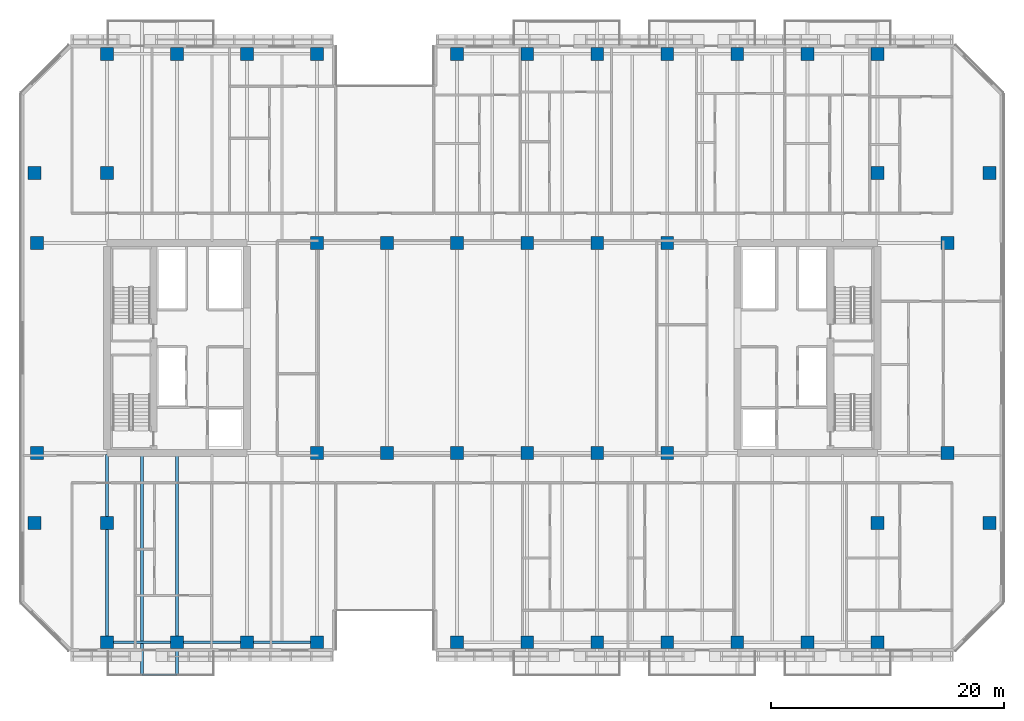
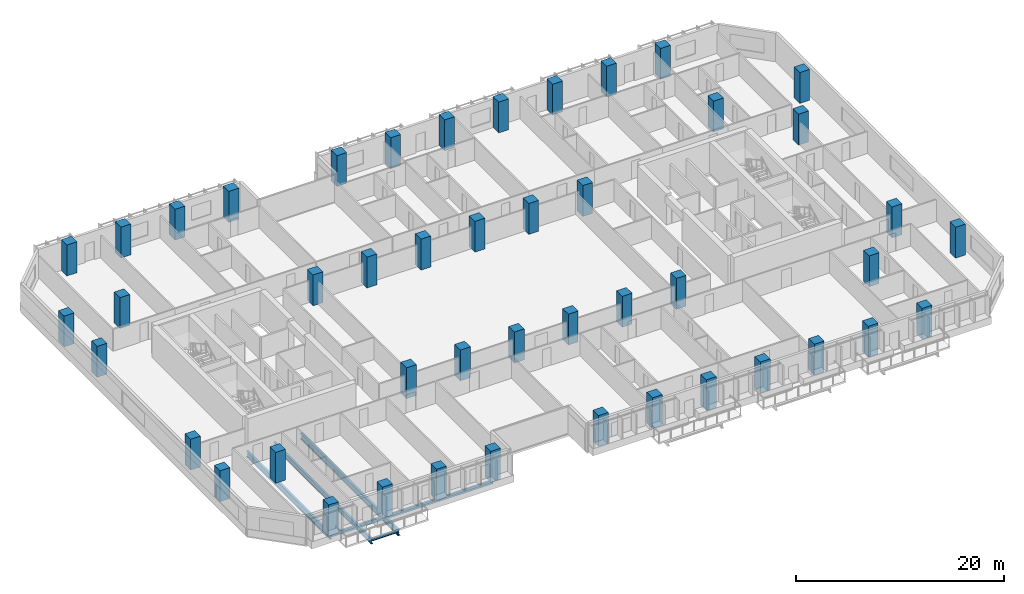
# One storey, part 1 of 25: 46 columns, 7 beams.
"""IFC4 building model written with IfcOpenShell, lengths in metres."""

from ifc_helpers import new_model, si_unit, direction, frame, origin, origin_2d, place, context, subcontext, project, spatial, rectangle, hollow_rectangle, i_section, extrude, material, material_profile, profile_set, type_object, element, save


model = new_model("IFC4")

# Units and contexts
model_context = context("Model", 3, precision=1e-05, world=origin(), true_north=direction((0.0, 1.0)))
body_context = subcontext(model_context, "Body", "Model", "MODEL_VIEW")
ifc_project = project(units=[si_unit("LENGTHUNIT", "METRE"), si_unit("AREAUNIT", "SQUARE_METRE"), si_unit("VOLUMEUNIT", "CUBIC_METRE"), si_unit("PLANEANGLEUNIT", "RADIAN"), si_unit("MASSUNIT", "GRAM", prefix="KILO")], contexts=[model_context])

# Site, building, storey
site_placement = place(None, origin())
site = spatial("IfcSite", under=ifc_project, at=site_placement, CompositionType="ELEMENT")
building_placement = place(site_placement, origin())
building = spatial("IfcBuilding", under=site, at=building_placement, Name="Tanjung Sevakor Pilgrim Tower", CompositionType="ELEMENT")
storey_placement = place(building_placement, frame((0.0, 0.0, 69.6298828125)))
storey = spatial("IfcBuildingStorey", under=building, at=storey_placement, Name="L19", CompositionType="ELEMENT", Elevation=69.6298828125)

# Columns
ifc_material_1 = material(Name="Concrete C60/75", Category="concrete")
ifc_material_profile_1 = material_profile(ifc_material_1, rectangle(XDim=1.10009765625, YDim=1.10009765625, at=origin_2d()))
ifc_profile_set_1 = profile_set([ifc_material_profile_1], Name="Concrete C60/75")
column_type = type_object("IfcColumnType", Name="COL-C-T1100-RC_1100x1100", PredefinedType="COLUMN", material=ifc_profile_set_1)
for number, where, z_axis, x_axis, name in (
    (1, (18.0, 24.60009765625, 0.0), (0.0, 0.0, 1.0), (1.0, 0.0, 0.0), "L19 Column SPW-018-246"),
    (2, (18.0, 42.60009765625, 0.0), (0.0, 0.0, 1.0), (1.0, 0.0, 0.0), "L19 Column SPW-018-426"),
    (3, (42.0, 24.60009765625, 0.0), (0.0, 0.0, 1.0), (1.0, 0.0, 0.0), "L19 Column SPW-042-246"),
    (4, (42.0, 42.60009765625, 0.0), (0.0, 0.0, 1.0), (1.0, 0.0, 0.0), "L19 Column SPW-042-426"),
    (5, (48.0, 24.60009765625, 0.0), (0.0, 0.0, 1.0), (1.0, 0.0, 0.0), "L19 Column SPW-048-246"),
    (6, (48.0, 42.60009765625, 0.0), (0.0, 0.0, 1.0), (1.0, 0.0, 0.0), "L19 Column SPW-048-426"),
    (7, (54.0, 24.60009765625, 0.0), (0.0, 0.0, 1.0), (1.0, 0.0, 0.0), "L19 Column SPE-054-246"),
    (8, (54.0, 42.60009765625, 0.0), (0.0, 0.0, 1.0), (1.0, 0.0, 0.0), "L19 Column SPE-054-426"),
    (9, (60.0, 24.60009765625, 0.0), (0.0, 0.0, 1.0), (1.0, 0.0, 0.0), "L19 Column SPE-060-246"),
    (10, (60.0, 42.60009765625, 0.0), (0.0, 0.0, 1.0), (1.0, 0.0, 0.0), "L19 Column SPE-060-426"),
    (11, (66.0, 24.60009765625, 0.0), (0.0, 0.0, 1.0), (1.0, 0.0, 0.0), "L19 Column SPE-066-246"),
    (12, (66.0, 42.60009765625, 0.0), (0.0, 0.0, 1.0), (1.0, 0.0, 0.0), "L19 Column SPE-066-426"),
    (13, (72.0, 24.60009765625, 0.0), (0.0, 0.0, 1.0), (1.0, 0.0, 0.0), "L19 Column SPE-072-246"),
    (14, (72.0, 42.60009765625, 0.0), (0.0, 0.0, 1.0), (1.0, 0.0, 0.0), "L19 Column SPE-072-426"),
    (15, (96.0, 24.60009765625, 0.0), (0.0, 0.0, 1.0), (1.0, 0.0, 0.0), "L19 Column SPE-096-246"),
    (16, (96.0, 42.60009765625, 0.0), (0.0, 0.0, 1.0), (1.0, 0.0, 0.0), "L19 Column SPE-096-426"),
    (17, (17.800048828125, 18.60009765625, 0.0), (0.0, 0.0, 1.0), (1.0, 0.0, 0.0), "L19 Column TCE-0178-186"),
    (18, (17.800048828125, 48.60009765625, 0.0), (0.0, 0.0, 1.0), (1.0, 0.0, 0.0), "L19 Column TCE-0178-486"),
    (19, (24.0, 18.60009765625, 0.0), (0.0, 0.0, 1.0), (1.0, 0.0, 0.0), "L19 Column TCE-0240-186"),
    (20, (24.0, 48.60009765625, 0.0), (0.0, 0.0, 1.0), (1.0, 0.0, 0.0), "L19 Column TCE-0240-486"),
    (21, (90.0, 18.60009765625, 0.0), (0.0, 0.0, 1.0), (1.0, 0.0, 0.0), "L19 Column TCE-0900-186"),
    (22, (90.0, 48.60009765625, 0.0), (0.0, 0.0, 1.0), (1.0, 0.0, 0.0), "L19 Column TCE-0900-486"),
    (23, (99.60009765625, 18.60009765625, 0.0), (0.0, 0.0, 1.0), (1.0, 0.0, 0.0), "L19 Column TCE-0996-186"),
    (24, (99.60009765625, 48.60009765625, 0.0), (0.0, 0.0, 1.0), (1.0, 0.0, 0.0), "L19 Column TCE-0996-486"),
    (25, (24.0, 8.39990234375, 0.0), (0.0, 0.0, 1.0), (1.0, 0.0, 0.0), "L19 Column TC1-024-084"),
    (26, (24.0, 58.800048828125, 0.0), (0.0, 0.0, 1.0), (1.0, 0.0, 0.0), "L19 Column TC1-024-588"),
    (27, (30.0, 8.39990234375, 0.0), (0.0, 0.0, 1.0), (1.0, 0.0, 0.0), "L19 Column TC1-030-084"),
    (28, (30.0, 58.800048828125, 0.0), (0.0, 0.0, 1.0), (1.0, 0.0, 0.0), "L19 Column TC1-030-588"),
    (29, (36.0, 8.39990234375, 0.0), (0.0, 0.0, 1.0), (1.0, 0.0, 0.0), "L19 Column TC1-036-084"),
    (30, (36.0, 58.800048828125, 0.0), (0.0, 0.0, 1.0), (1.0, 0.0, 0.0), "L19 Column TC1-036-588"),
    (31, (42.0, 8.39990234375, 0.0), (0.0, 0.0, 1.0), (1.0, 0.0, 0.0), "L19 Column TC1-042-084"),
    (32, (42.0, 58.800048828125, 0.0), (0.0, 0.0, 1.0), (1.0, 0.0, 0.0), "L19 Column TC1-042-588"),
    (33, (54.0, 8.39990234375, 0.0), (0.0, 0.0, 1.0), (1.0, 0.0, 0.0), "L19 Column TC1-054-084"),
    (34, (54.0, 58.800048828125, 0.0), (0.0, 0.0, 1.0), (1.0, 0.0, 0.0), "L19 Column TC1-054-588"),
    (35, (60.0, 8.39990234375, 0.0), (0.0, 0.0, 1.0), (1.0, 0.0, 0.0), "L19 Column TC1-060-084"),
    (36, (60.0, 58.800048828125, 0.0), (0.0, 0.0, 1.0), (1.0, 0.0, 0.0), "L19 Column TC1-060-588"),
    (37, (66.0, 8.39990234375, 0.0), (0.0, 0.0, 1.0), (1.0, 0.0, 0.0), "L19 Column TC1-066-084"),
    (38, (66.0, 58.800048828125, 0.0), (0.0, 0.0, 1.0), (1.0, 0.0, 0.0), "L19 Column TC1-066-588"),
    (39, (72.0, 8.39990234375, 0.0), (0.0, 0.0, 1.0), (1.0, 0.0, 0.0), "L19 Column TC1-072-084"),
    (40, (72.0, 58.800048828125, 0.0), (0.0, 0.0, 1.0), (1.0, 0.0, 0.0), "L19 Column TC1-072-588"),
    (41, (78.0, 8.39990234375, 0.0), (0.0, 0.0, 1.0), (1.0, 0.0, 0.0), "L19 Column TC1-078-084"),
    (42, (78.0, 58.800048828125, 0.0), (0.0, 0.0, 1.0), (1.0, 0.0, 0.0), "L19 Column TC1-078-588"),
    (43, (84.0, 8.39990234375, 0.0), (0.0, 0.0, 1.0), (1.0, 0.0, 0.0), "L19 Column TC1-084-084"),
    (44, (84.0, 58.800048828125, 0.0), (0.0, 0.0, 1.0), (1.0, 0.0, 0.0), "L19 Column TC1-084-588"),
    (45, (90.0, 8.39990234375, 0.0), (0.0, 0.0, 1.0), (1.0, 0.0, 0.0), "L19 Column TC1-090-084"),
    (46, (90.0, 58.800048828125, 0.0), (0.0, 0.0, 1.0), (1.0, 0.0, 0.0), "L19 Column TC1-090-588"),
):
    element("IfcColumn", number, at=place(storey_placement, frame(where, z_axis=z_axis, x_axis=x_axis)), inside=storey, type_object=column_type, Name=name, PredefinedType="COLUMN", context=body_context, shape_type="SweptSolid", body=[
        extrude(rectangle(XDim=1.10009765625, YDim=1.10009765625, at=origin_2d()), origin(), (0.0, 0.0, 1.0), 3.630126953125),
    ])

# Beams
ifc_material_2 = material(Name="Steel S355J2", Category="steel")
ifc_material_profile_2 = material_profile(ifc_material_2, i_section(OverallWidth=0.25439453125, OverallDepth=0.6875, WebThickness=0.01318359375, FlangeThickness=0.02099609375, FilletRadius=0.01513671875, at=origin_2d()))
ifc_profile_set_2 = profile_set([ifc_material_profile_2], Name="Steel S355J2")
beam_type_1 = type_object("IfcBeamType", Name="BM-B-G2-UB_686x254x152", PredefinedType="BEAM", material=ifc_profile_set_2)
beam_1_placement = place(storey_placement, frame((24.0, 8.39990234375, -0.563720703125), z_axis=(0.0, 1.0, 0.0), x_axis=(-1.0, 0.0, 0.0)))
element("IfcBeam", 47, at=beam_1_placement, inside=storey, type_object=beam_type_1, Name="L19 MAIN Girder 001", PredefinedType="BEAM", context=body_context, shape_type="SweptSolid", body=[
    extrude(i_section(OverallWidth=0.25439453125, OverallDepth=0.6875, WebThickness=0.01318359375, FlangeThickness=0.02099609375, FilletRadius=0.01513671875, at=origin_2d()), origin(), (0.0, 0.0, 1.0), 16.066162109375),
])
beam_2_placement = place(storey_placement, frame((30.0, 24.466064453125, -0.563720703125), z_axis=(0.0, -1.0, 0.0), x_axis=(1.0, 0.0, 0.0)))
element("IfcBeam", 48, at=beam_2_placement, inside=storey, type_object=beam_type_1, Name="L19 Balcony Cantilever Beam MAIN-S1-2", PredefinedType="BEAM", context=body_context, shape_type="SweptSolid", body=[
    extrude(i_section(OverallWidth=0.25439453125, OverallDepth=0.6875, WebThickness=0.01318359375, FlangeThickness=0.02099609375, FilletRadius=0.01513671875, at=origin_2d()), origin(), (0.0, 0.0, 1.0), 18.845947265625),
])
ifc_material_3 = material(Name="Steel S355J2", Category="steel")
ifc_material_profile_3 = material_profile(ifc_material_3, i_section(OverallWidth=0.22900390625, OverallDepth=0.6123046875, WebThickness=0.011962890625, FlangeThickness=0.01953125, FilletRadius=0.0126953125, at=origin_2d()))
ifc_profile_set_3 = profile_set([ifc_material_profile_3], Name="Steel S355J2")
beam_type_2 = type_object("IfcBeamType", Name="BM-B-G4-UB_610x229x125", PredefinedType="BEAM", material=ifc_profile_set_3)
beam_3_placement = place(storey_placement, frame((27.0, 24.466064453125, -0.52587890625), z_axis=(0.0, -1.0, 0.0), x_axis=(1.0, 0.0, 0.0)))
element("IfcBeam", 49, at=beam_3_placement, inside=storey, type_object=beam_type_2, Name="L19 Balcony Cantilever Beam MAIN-S1-1", PredefinedType="BEAM", context=body_context, shape_type="SweptSolid", body=[
    extrude(i_section(OverallWidth=0.22900390625, OverallDepth=0.6123046875, WebThickness=0.011962890625, FlangeThickness=0.01953125, FilletRadius=0.0126953125, at=origin_2d()), origin(), (0.0, 0.0, 1.0), 18.845947265625),
])
ifc_material_4 = material(Name="Steel S355J2", Category="steel")
ifc_material_profile_4 = material_profile(ifc_material_4, i_section(OverallWidth=0.146484375, OverallDepth=0.256103515625, WebThickness=0.00634765625, FlangeThickness=0.010986328125, FilletRadius=0.007568359375, at=origin_2d()))
ifc_profile_set_4 = profile_set([ifc_material_profile_4], Name="Steel S355J2")
beam_type_3 = type_object("IfcBeamType", Name="BM-B-J6-UB_254x146x37", PredefinedType="JOIST", material=ifc_profile_set_4)
beam_4_placement = place(storey_placement, frame((27.0, 5.6201171875, -0.327880859375), z_axis=(1.0, 0.0, 0.0), x_axis=(0.0, 1.0, 0.0)))
element("IfcBeam", 50, at=beam_4_placement, inside=storey, type_object=beam_type_3, Name="L19 Balcony Rim Tie MAIN-S1", PredefinedType="JOIST", context=body_context, shape_type="SweptSolid", body=[
    extrude(i_section(OverallWidth=0.146484375, OverallDepth=0.256103515625, WebThickness=0.00634765625, FlangeThickness=0.010986328125, FilletRadius=0.007568359375, at=origin_2d()), origin(), (0.0, 0.0, 1.0), 3.0),
])
ifc_material_5 = material(Name="Steel S355J2", Category="steel")
ifc_material_profile_5 = material_profile(ifc_material_5, hollow_rectangle(XDim=0.199951171875, YDim=0.39990234375, WallThickness=0.01611328125, at=origin_2d()))
ifc_profile_set_5 = profile_set([ifc_material_profile_5], Name="Steel S355J2")
beam_type_4 = type_object("IfcBeamType", Name="BM-B-SP2-RHS_400x200x16", PredefinedType="SPANDREL", material=ifc_profile_set_5)
for number, where, z_axis, x_axis, name in (
    (51, (24.0, 8.39990234375, -0.419921875), (1.0, 0.0, 0.0), (0.0, 1.0, 0.0), "L19 Spandrel MAIN S-01"),
    (52, (30.0, 8.39990234375, -0.419921875), (1.0, 0.0, 0.0), (0.0, 1.0, 0.0), "L19 Spandrel MAIN S-03"),
    (53, (36.0, 8.39990234375, -0.419921875), (1.0, 0.0, 0.0), (0.0, 1.0, 0.0), "L19 Spandrel MAIN S-05"),
):
    element("IfcBeam", number, at=place(storey_placement, frame(where, z_axis=z_axis, x_axis=x_axis)), inside=storey, type_object=beam_type_4, Name=name, PredefinedType="SPANDREL", context=body_context, shape_type="SweptSolid", body=[
        extrude(hollow_rectangle(XDim=0.199951171875, YDim=0.39990234375, WallThickness=0.01611328125, at=origin_2d()), origin(), (0.0, 0.0, 1.0), 6.0),
    ])

save(model, "model.ifc")
